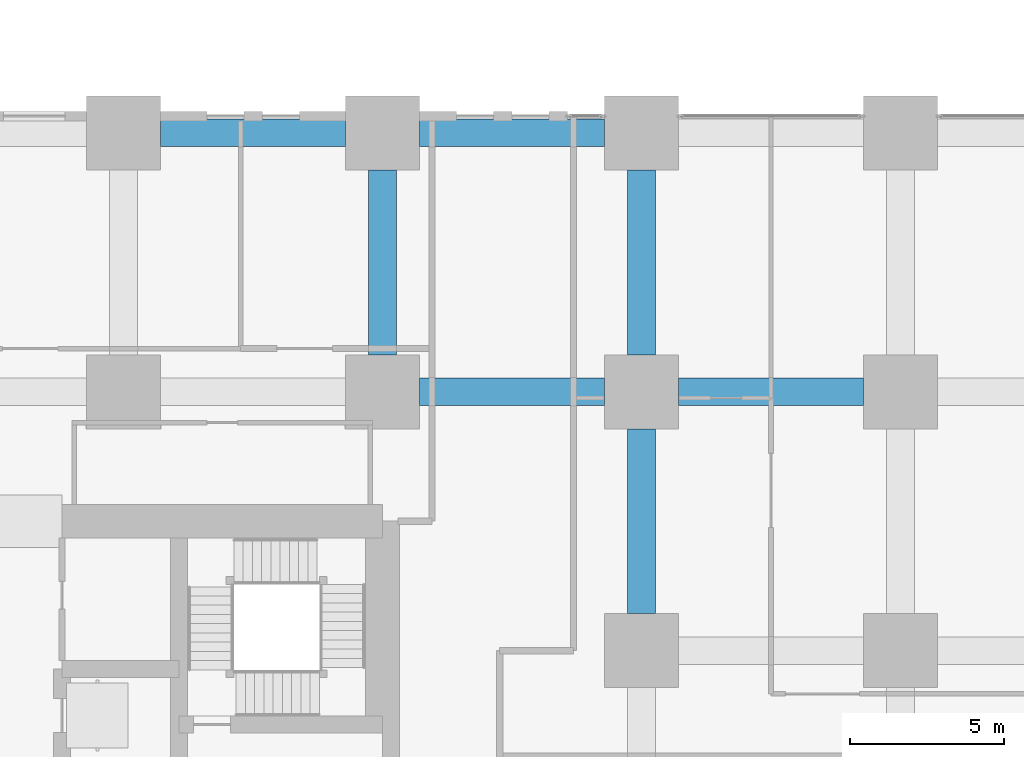
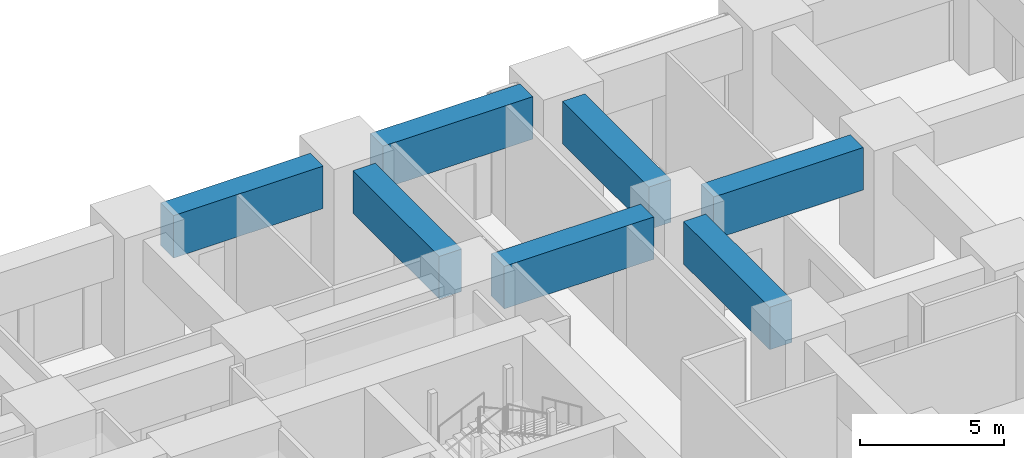
# One storey, part 27 of 81: 7 beams.
"""IFC4 building model written with IfcOpenShell, lengths in metres."""

from ifc_helpers import new_model, si_unit, direction, frame, origin, origin_2d, place, context, subcontext, project, spatial, rectangle, extrude, material, material_profile, profile_set, type_object, element, save


model = new_model("IFC4")

# Units and contexts
model_context = context("Model", 3, precision=1e-05, world=origin(), true_north=direction((0.0, 1.0)))
body_context = subcontext(model_context, "Body", "Model", "MODEL_VIEW")
ifc_project = project(units=[si_unit("LENGTHUNIT", "METRE"), si_unit("AREAUNIT", "SQUARE_METRE"), si_unit("VOLUMEUNIT", "CUBIC_METRE"), si_unit("PLANEANGLEUNIT", "RADIAN"), si_unit("MASSUNIT", "GRAM", prefix="KILO")], contexts=[model_context])

# Site, building, storey
site_placement = place(None, origin())
site = spatial("IfcSite", under=ifc_project, at=site_placement, CompositionType="ELEMENT")
building_placement = place(site_placement, origin())
building = spatial("IfcBuilding", under=site, at=building_placement, Name="Rekha Terrace Tower", CompositionType="ELEMENT")
storey_placement = place(building_placement, origin())
storey = spatial("IfcBuildingStorey", under=building, at=storey_placement, Name="L00", CompositionType="ELEMENT", Elevation=0.0)

# Beams
ifc_material = material(Name="Concrete M60", Category="concrete")
ifc_material_profile = material_profile(ifc_material, rectangle(XDim=0.89990234375, YDim=1.800048828125, at=origin_2d()), Name="RC 900x1800")
ifc_profile_set = profile_set([ifc_material_profile], Name="Concrete M60")
beam_type = type_object("IfcBeamType", Name="G1 900x1800 podium floor beam", PredefinedType="BEAM", material=ifc_profile_set)
for number, where, z_axis, x_axis, name in (
    (1, (43.199951171875, 58.800048828125, 4.199951171875), (1.0, 0.0, 0.0), (0.0, 1.0, 0.0), "Beam G1 6H-7H under L01"),
    (2, (51.60009765625, 50.39990234375, 4.199951171875), (1.0, 0.0, 0.0), (0.0, 1.0, 0.0), "Beam G1 7G-8G under L01"),
    (3, (50.39990234375, 51.60009765625, 4.199951171875), (0.0, 1.0, 0.0), (-1.0, 0.0, 0.0), "Beam G1 7G-7H under L01"),
    (4, (51.60009765625, 58.800048828125, 4.199951171875), (1.0, 0.0, 0.0), (0.0, 1.0, 0.0), "Beam G1 7H-8H under L01"),
    (5, (58.800048828125, 43.199951171875, 4.199951171875), (0.0, 1.0, 0.0), (-1.0, 0.0, 0.0), "Beam G1 8F-8G under L01"),
    (6, (60.0, 50.39990234375, 4.199951171875), (1.0, 0.0, 0.0), (0.0, 1.0, 0.0), "Beam G1 8G-9G under L01"),
    (7, (58.800048828125, 51.60009765625, 4.199951171875), (0.0, 1.0, 0.0), (-1.0, 0.0, 0.0), "Beam G1 8G-8H under L01"),
):
    element("IfcBeam", number, at=place(storey_placement, frame(where, z_axis=z_axis, x_axis=x_axis)), inside=storey, type_object=beam_type, Name=name, PredefinedType="BEAM", context=body_context, shape_type="SweptSolid", body=[
        extrude(rectangle(XDim=0.89990234375, YDim=1.800048828125, at=origin_2d()), origin(), (0.0, 0.0, 1.0), 6.0),
    ])

save(model, "model.ifc")
